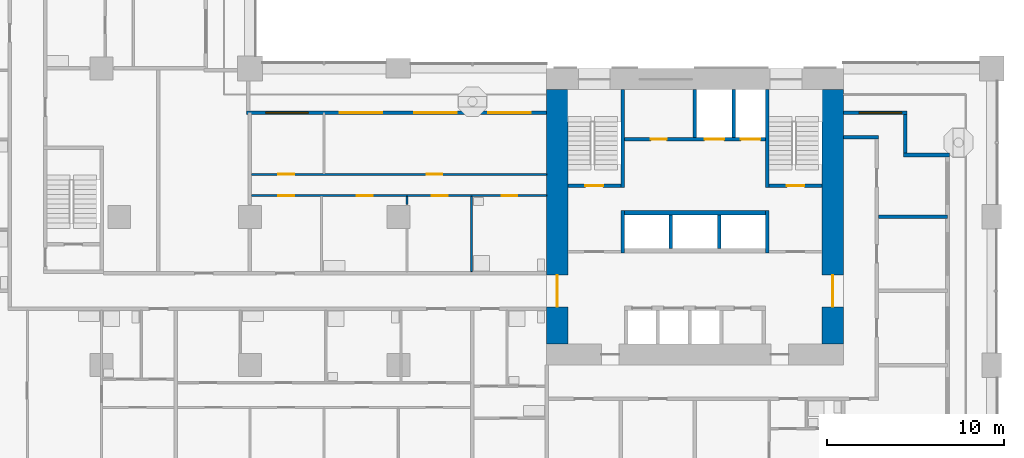
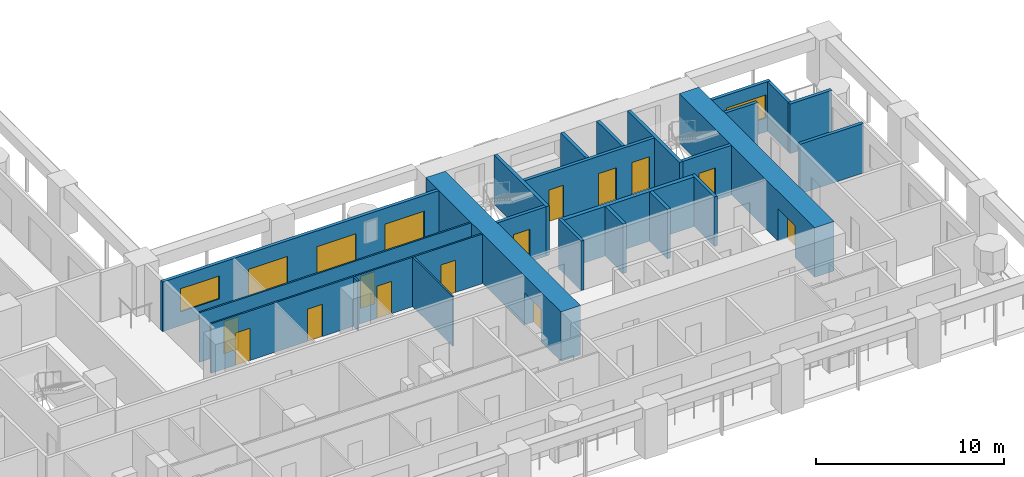
# One storey, part 6 of 19: 24 walls, 16 doors, 2 windows, 18 openings.
"""IFC4 building model written with IfcOpenShell, lengths in metres."""

import ifcopenshell
import ifcopenshell.guid

model = None  # the IFC model being written
_history = None  # IfcOwnerHistory: only IFC2X3 demands one
_inside = {}  # id of a spatial element -> (the spatial element, [elements in it])
_under = {}  # id of a project, library or spatial element -> (it, [spatial elements below it])
_declared = {}  # id of a project -> (the project, [libraries it declares])
_typed = {}  # id of a type object -> (the type object, [elements of that type])
_made_of = {}  # id of a material, layer set ... -> (it, [elements and type objects made of it])


def new_model(schema):
    """Start an empty IFC model of exactly this schema.

    Asked for "IFC4X3", IfcOpenShell would pick the latest addendum, in which some entities
    have other attributes; the version numbers below select the first issue.
    IFC2X3 requires an IfcOwnerHistory on every rooted entity: one is made here for all.
    """
    global model, _history
    if schema == "IFC4X3":
        model = ifcopenshell.file(schema_version=(4, 3, 0, 0))
    else:
        model = ifcopenshell.file(schema=schema)
    _inside.clear()
    _under.clear()
    _declared.clear()
    _typed.clear()
    _made_of.clear()
    _history = None
    if model.schema == "IFC2X3":
        org = make("IfcOrganization", Name="unknown")
        user = make(
            "IfcPersonAndOrganization",
            ThePerson=make("IfcPerson", FamilyName="unknown"),
            TheOrganization=org,
        )
        app = make(
            "IfcApplication",
            ApplicationDeveloper=org,
            Version="unknown",
            ApplicationFullName="unknown",
            ApplicationIdentifier="unknown",
        )
        _history = make(
            "IfcOwnerHistory",
            OwningUser=user,
            OwningApplication=app,
            ChangeAction="ADDED",
            CreationDate=0,
        )
    return model


def make(cls, **values):
    """One entity of the class cls with the attributes given. An attribute that is None is left unset."""
    return model.create_entity(
        cls, **{name: value for name, value in values.items() if value is not None}
    )


def rooted(cls, **values):
    """An entity with a GlobalId (a new one), such as an element, a storey or a relation."""
    return make(cls, GlobalId=ifcopenshell.guid.new(), OwnerHistory=_history, **values)


def si_unit(unit_type, name, prefix=None):
    """IfcSIUnit, for example si_unit("LENGTHUNIT", "METRE", prefix="MILLI")."""
    return make("IfcSIUnit", UnitType=unit_type, Prefix=prefix, Name=name)


def assignment(units):
    """IfcUnitAssignment: the units of a project."""
    return None if units is None else make("IfcUnitAssignment", Units=units)


def point(xyz):
    """IfcCartesianPoint."""
    return None if xyz is None else make("IfcCartesianPoint", Coordinates=xyz)


def direction(xyz):
    """IfcDirection."""
    return None if xyz is None else make("IfcDirection", DirectionRatios=xyz)


def frame(location, z_axis=None, x_axis=None):
    """IfcAxis2Placement3D, a coordinate frame: its origin and axes. An axis left out is left unset."""
    return make(
        "IfcAxis2Placement3D",
        Location=point(location),
        Axis=direction(z_axis),
        RefDirection=direction(x_axis),
    )


def frame_2d(location, x_axis=None):
    """IfcAxis2Placement2D, a coordinate frame in the plane: its origin and x axis."""
    return make(
        "IfcAxis2Placement2D", Location=point(location), RefDirection=direction(x_axis)
    )


def origin():
    """The frame at (0, 0, 0) with its axes left unset."""
    return frame((0.0, 0.0, 0.0))


def place(relative_to, where):
    """IfcLocalPlacement: puts the frame where relative to a parent placement (None: the world)."""
    return make(
        "IfcLocalPlacement", PlacementRelTo=relative_to, RelativePlacement=where
    )


def context(
    kind, dimensions, precision=None, world=None, true_north=None, identifier=None
):
    """IfcGeometricRepresentationContext, for example the 3D "Model" context."""
    return make(
        "IfcGeometricRepresentationContext",
        ContextIdentifier=identifier,
        ContextType=kind,
        CoordinateSpaceDimension=dimensions,
        Precision=precision,
        WorldCoordinateSystem=world,
        TrueNorth=true_north,
    )


def subcontext(parent, identifier, kind, view, scale=None):
    """IfcGeometricRepresentationSubContext, for example "Body" below "Model"."""
    return make(
        "IfcGeometricRepresentationSubContext",
        ContextIdentifier=identifier,
        ContextType=kind,
        ParentContext=parent,
        TargetScale=scale,
        TargetView=view,
    )


def project(units=None, contexts=None):
    """IfcProject with its units and contexts."""
    return rooted(
        "IfcProject",
        Name="project",
        RepresentationContexts=contexts,
        UnitsInContext=assignment(units),
    )


def spatial(cls, under=None, at=None, **own):
    """A site, building, storey or space (cls), placed at a placement, below another one or the project."""
    s = rooted(cls, ObjectPlacement=at, **own)
    if under is not None:
        _under.setdefault(under.id(), (under, []))[1].append(s)
    return s


def profile(cls, at=None, kind="AREA", **sizes):
    """A parametric profile (cls). Its sizes go by their IFC names, for example OverallWidth=200.0."""
    return make(cls, ProfileType=kind, Position=at, **sizes)


def rectangle(**sizes):
    """IfcRectangleProfileDef."""
    return profile("IfcRectangleProfileDef", **sizes)


def extrude(swept, where, along, depth):
    """IfcExtrudedAreaSolid: the profile swept, set in the frame where, extruded along a direction by depth."""
    return make(
        "IfcExtrudedAreaSolid",
        SweptArea=swept,
        Position=where,
        ExtrudedDirection=direction(along),
        Depth=depth,
    )


def shape(context_of_items, identifier, shape_type, items):
    """IfcShapeRepresentation: the items that make up one representation, for example the "Body"."""
    return make(
        "IfcShapeRepresentation",
        ContextOfItems=context_of_items,
        RepresentationIdentifier=identifier,
        RepresentationType=shape_type,
        Items=items,
    )


def material(Name=None, Category=None):
    """IfcMaterial."""
    return make("IfcMaterial", Name=Name, Category=Category)


def layer(
    of_material, thickness, ventilated=None, Name=None, Category=None, Priority=None
):
    """IfcMaterialLayer: one layer of a wall or slab, of a material (None: an air gap)."""
    return make(
        "IfcMaterialLayer",
        Material=of_material,
        LayerThickness=thickness,
        IsVentilated=ventilated,
        Name=Name,
        Category=Category,
        Priority=Priority,
    )


def layer_set(layers, Name=None):
    """IfcMaterialLayerSet."""
    return make("IfcMaterialLayerSet", MaterialLayers=layers, LayerSetName=Name)


def made_of(thing, what):
    """Note that an element or type object is made of a material, layer set ...; save() writes the relation."""
    if what is not None:
        _made_of.setdefault(what.id(), (what, []))[1].append(thing)
    return thing


def type_object(cls, material=None, **own):
    """A type object (cls), such as IfcWallType, which elements share."""
    return made_of(rooted(cls, **own), material)


def element(
    cls,
    number,
    at=None,
    inside=None,
    cuts=None,
    type_object=None,
    material=None,
    context=None,
    identifier="Body",
    shape_type=None,
    held_by="IfcProductDefinitionShape",
    body=None,
    shapes=None,
    **own,
):
    """One element of the class cls, such as IfcWall. Its Tag is "e" and its number.

    at: its placement. inside: the storey or other place that contains it. cuts: it is an
    opening in that element (IfcRelVoidsElement). A single representation is given by context,
    identifier, shape_type and body (its items); several are given by shapes. held_by: the class
    of the entity that holds the representations. save() writes the other relations.
    """
    e = rooted(cls, Tag="e%d" % number, ObjectPlacement=at, **own)
    if body is not None:
        shapes = [shape(context, identifier, shape_type, body)]
    if shapes is not None:
        e.Representation = make(held_by, Representations=shapes)
    if inside is not None:
        _inside.setdefault(inside.id(), (inside, []))[1].append(e)
    if cuts is not None:
        rooted(
            "IfcRelVoidsElement", RelatingBuildingElement=cuts, RelatedOpeningElement=e
        )
    if type_object is not None:
        _typed.setdefault(type_object.id(), (type_object, []))[1].append(e)
    return made_of(e, material)


def fill(opening, filler):
    """IfcRelFillsElement: the door or window that sits in an opening."""
    return rooted(
        "IfcRelFillsElement",
        RelatingOpeningElement=opening,
        RelatedBuildingElement=filler,
    )


def aggregate(whole, parts):
    """IfcRelAggregates: a whole, such as a stair, and the parts it consists of."""
    return rooted("IfcRelAggregates", RelatingObject=whole, RelatedObjects=parts)


def save(model, path):
    """Write the relations noted so far, then the file.

    IfcRelAggregates (storeys below a building ...), IfcRelContainedInSpatialStructure (elements
    in a storey), IfcRelDefinesByType, IfcRelAssociatesMaterial and IfcRelDeclares: one each for
    every whole, place, type object, material and project.
    """
    for whole, parts in _under.values():
        aggregate(whole, parts)
    for where, things in _inside.values():
        rooted(
            "IfcRelContainedInSpatialStructure",
            RelatedElements=things,
            RelatingStructure=where,
        )
    for kind, things in _typed.values():
        rooted("IfcRelDefinesByType", RelatedObjects=things, RelatingType=kind)
    for what, things in _made_of.values():
        rooted("IfcRelAssociatesMaterial", RelatedObjects=things, RelatingMaterial=what)
    for by, libraries in _declared.values():
        rooted("IfcRelDeclares", RelatingContext=by, RelatedDefinitions=libraries)
    model.write(path)


model = new_model("IFC4")

# Units and contexts
model_context = context("Model", 3, precision=1e-05, world=origin(), true_north=direction((0.0, 1.0)))
body_context = subcontext(model_context, "Body", "Model", "MODEL_VIEW")
ifc_project = project(units=[si_unit("LENGTHUNIT", "METRE"), si_unit("AREAUNIT", "SQUARE_METRE"), si_unit("VOLUMEUNIT", "CUBIC_METRE"), si_unit("PLANEANGLEUNIT", "RADIAN"), si_unit("MASSUNIT", "GRAM", prefix="KILO")], contexts=[model_context])

# Site, building, storey
site_placement = place(None, origin())
site = spatial("IfcSite", under=ifc_project, at=site_placement, CompositionType="ELEMENT")
building_placement = place(site_placement, origin())
building = spatial("IfcBuilding", under=site, at=building_placement, Name="Vermilion Gate Residences", CompositionType="ELEMENT")
storey_placement = place(building_placement, frame((0.0, 0.0, 32.199951171875)))
storey = spatial("IfcBuildingStorey", under=building, at=storey_placement, Name="L06", CompositionType="ELEMENT", Elevation=32.199951171875)

# Walls
ifc_material_1 = material(Name="Insulated steel stud wall with terracotta rainscreen", Category="masonry")
ifc_layer_1 = layer(ifc_material_1, 0.199951171875)
ifc_layer_set_1 = layer_set([ifc_layer_1], Name="EXTERNAL WALL 200 TERRACOTTA RAINSCREEN")
wall_type_1 = type_object("IfcWallType", Name="EXTERNAL WALL 200 TERRACOTTA RAINSCREEN", PredefinedType="SOLIDWALL", material=ifc_layer_set_1)
wall_1_placement = place(storey_placement, frame((64.800048828125, 20.300048828125, 0.0), z_axis=(0.0, 0.0, 1.0), x_axis=(-1.0, 0.0, 0.0)))
element("IfcWall", 1, at=wall_1_placement, inside=storey, type_object=wall_type_1, Name="External wall", PredefinedType="SOLIDWALL", context=body_context, shape_type="SweptSolid", body=[
    extrude(rectangle(XDim=2.60009765625, YDim=0.199951171875, at=frame_2d((1.300048828125, 0.0))), origin(), (0.0, 0.0, 1.0), 3.219970703125),
])
wall_2_placement = place(storey_placement, frame((62.300048828125, 20.39990234375, 0.0), z_axis=(0.0, 0.0, 1.0), x_axis=(0.0, 1.0, 0.0)))
element("IfcWall", 2, at=wall_2_placement, inside=storey, type_object=wall_type_1, Name="External wall", PredefinedType="SOLIDWALL", context=body_context, shape_type="SweptSolid", body=[
    extrude(rectangle(XDim=2.2001953125, YDim=0.199951171875, at=frame_2d((1.10009765625, 0.0))), origin(), (0.0, 0.0, 1.0), 3.219970703125),
])

# Wall, opening, window
wall_3_placement = place(storey_placement, frame((62.39990234375, 22.699951171875, 0.0), z_axis=(0.0, 0.0, 1.0), x_axis=(-1.0, 0.0, 0.0)))
wall_3 = element("IfcWall", 3, at=wall_3_placement, inside=storey, type_object=wall_type_1, Name="External wall", PredefinedType="SOLIDWALL", context=body_context, shape_type="SweptSolid", body=[
    extrude(rectangle(XDim=3.599853515625, YDim=0.199951171875, at=frame_2d((1.7998046875, 0.0))), origin(), (0.0, 0.0, 1.0), 3.219970703125),
])
opening_1_placement = place(wall_3_placement, frame((0.300048828125, 0.0, 0.89990234375)))
opening_1 = element("IfcOpeningElement", 4, at=opening_1_placement, cuts=wall_3, Name="Opening WE06032", PredefinedType="OPENING", context=body_context, shape_type="SweptSolid", body=[
    extrude(rectangle(XDim=2.39990234375, YDim=1.5, at=frame_2d((1.199951171875, 0.75))), frame((0.0, 0.10986328125, 0.0), z_axis=(0.0, -1.0, 0.0), x_axis=(1.0, 0.0, 0.0)), (0.0, 0.0, 1.0), 0.219970703125),
])
ifc_material_2 = material(Name="Aluminium and clear glass", Category="aluminium")
window_type = type_object("IfcWindowType", Name="WINDOW 2400 X 1500", PartitioningType="SINGLE_PANEL", PredefinedType="WINDOW", material=ifc_material_2)
window_1_placement = place(opening_1_placement, origin())
window_1 = element("IfcWindow", 5, at=window_1_placement, inside=storey, type_object=window_type, Name="Window", OverallHeight=1.5, OverallWidth=2.39990234375, PartitioningType="SINGLE_PANEL", PredefinedType="WINDOW", context=body_context, shape_type="SweptSolid", body=[
    extrude(rectangle(XDim=2.39990234375, YDim=1.5, at=frame_2d((1.199951171875, 0.75))), frame((0.0, 0.030029296875, 0.0), z_axis=(0.0, -1.0, 0.0), x_axis=(1.0, 0.0, 0.0)), (0.0, 0.0, 1.0), 0.06005859375),
])
fill(opening_1, window_1)

# Wall, openings, doors, window
wall_4_placement = place(storey_placement, frame((42.0, 22.699951171875, 0.0), z_axis=(0.0, 0.0, 1.0), x_axis=(-1.0, 0.0, 0.0)))
wall_4 = element("IfcWall", 6, at=wall_4_placement, inside=storey, type_object=wall_type_1, Name="External wall", PredefinedType="SOLIDWALL", context=body_context, shape_type="SweptSolid", body=[
    extrude(rectangle(XDim=17.0, YDim=0.199951171875, at=frame_2d((8.5, 0.0))), origin(), (0.0, 0.0, 1.0), 3.219970703125),
])
opening_2_placement = place(wall_4_placement, frame((13.5, 0.0, 0.89990234375)))
opening_2 = element("IfcOpeningElement", 7, at=opening_2_placement, cuts=wall_4, Name="Opening WE06033", PredefinedType="OPENING", context=body_context, shape_type="SweptSolid", body=[
    extrude(rectangle(XDim=2.39990234375, YDim=1.5, at=frame_2d((1.199951171875, 0.75))), frame((0.0, 0.10986328125, 0.0), z_axis=(0.0, -1.0, 0.0), x_axis=(1.0, 0.0, 0.0)), (0.0, 0.0, 1.0), 0.219970703125),
])
opening_3_placement = place(wall_4_placement, frame((9.300048828125, 0.0, 0.0)))
opening_3 = element("IfcOpeningElement", 8, at=opening_3_placement, cuts=wall_4, Name="Opening DE06034", PredefinedType="OPENING", context=body_context, shape_type="SweptSolid", body=[
    extrude(rectangle(XDim=2.39990234375, YDim=2.199951171875, at=frame_2d((1.199951171875, 1.10009765625))), frame((0.0, 0.10986328125, 0.0), z_axis=(0.0, -1.0, 0.0), x_axis=(1.0, 0.0, 0.0)), (0.0, 0.0, 1.0), 0.219970703125),
])
opening_4_placement = place(wall_4_placement, frame((5.10009765625, 0.0, 0.0)))
opening_4 = element("IfcOpeningElement", 9, at=opening_4_placement, cuts=wall_4, Name="Opening DE06035", PredefinedType="OPENING", context=body_context, shape_type="SweptSolid", body=[
    extrude(rectangle(XDim=2.39990234375, YDim=2.199951171875, at=frame_2d((1.199951171875, 1.10009765625))), frame((0.0, 0.10986328125, 0.0), z_axis=(0.0, -1.0, 0.0), x_axis=(1.0, 0.0, 0.0)), (0.0, 0.0, 1.0), 0.219970703125),
])
opening_5_placement = place(wall_4_placement, frame((0.89990234375, 0.0, 0.0)))
opening_5 = element("IfcOpeningElement", 10, at=opening_5_placement, cuts=wall_4, Name="Opening DE06036", PredefinedType="OPENING", context=body_context, shape_type="SweptSolid", body=[
    extrude(rectangle(XDim=2.39990234375, YDim=2.199951171875, at=frame_2d((1.199951171875, 1.10009765625))), frame((0.0, 0.10986328125, 0.0), z_axis=(0.0, -1.0, 0.0), x_axis=(1.0, 0.0, 0.0)), (0.0, 0.0, 1.0), 0.219970703125),
])
ifc_material_3 = material(Name="Aluminium and clear glass", Category="aluminium")
door_type_1 = type_object("IfcDoorType", Name="SLIDING GLAZED DOOR 2400 X 2200", OperationType="DOUBLE_DOOR_SLIDING", PredefinedType="DOOR", material=ifc_material_3)
door_1_placement = place(opening_3_placement, origin())
door_1 = element("IfcDoor", 11, at=door_1_placement, inside=storey, type_object=door_type_1, Name="Loggia sliding door", OperationType="DOUBLE_DOOR_SLIDING", OverallHeight=2.199951171875, OverallWidth=2.39990234375, PredefinedType="DOOR", context=body_context, shape_type="SweptSolid", body=[
    extrude(rectangle(XDim=2.39990234375, YDim=2.199951171875, at=frame_2d((1.199951171875, 1.10009765625))), frame((0.0, 0.02490234375, 0.0), z_axis=(0.0, -1.0, 0.0), x_axis=(1.0, 0.0, 0.0)), (0.0, 0.0, 1.0), 0.050048828125),
])
fill(opening_3, door_1)
door_2_placement = place(opening_4_placement, origin())
door_2 = element("IfcDoor", 12, at=door_2_placement, inside=storey, type_object=door_type_1, Name="Loggia sliding door", OperationType="DOUBLE_DOOR_SLIDING", OverallHeight=2.199951171875, OverallWidth=2.39990234375, PredefinedType="DOOR", context=body_context, shape_type="SweptSolid", body=[
    extrude(rectangle(XDim=2.39990234375, YDim=2.199951171875, at=frame_2d((1.199951171875, 1.10009765625))), frame((0.0, 0.02490234375, 0.0), z_axis=(0.0, -1.0, 0.0), x_axis=(1.0, 0.0, 0.0)), (0.0, 0.0, 1.0), 0.050048828125),
])
fill(opening_4, door_2)
door_3_placement = place(opening_5_placement, origin())
door_3 = element("IfcDoor", 13, at=door_3_placement, inside=storey, type_object=door_type_1, Name="Loggia sliding door", OperationType="DOUBLE_DOOR_SLIDING", OverallHeight=2.199951171875, OverallWidth=2.39990234375, PredefinedType="DOOR", context=body_context, shape_type="SweptSolid", body=[
    extrude(rectangle(XDim=2.39990234375, YDim=2.199951171875, at=frame_2d((1.199951171875, 1.10009765625))), frame((0.0, 0.02490234375, 0.0), z_axis=(0.0, -1.0, 0.0), x_axis=(1.0, 0.0, 0.0)), (0.0, 0.0, 1.0), 0.050048828125),
])
fill(opening_5, door_3)
window_2_placement = place(opening_2_placement, origin())
window_2 = element("IfcWindow", 14, at=window_2_placement, inside=storey, type_object=window_type, Name="Window", OverallHeight=1.5, OverallWidth=2.39990234375, PartitioningType="SINGLE_PANEL", PredefinedType="WINDOW", context=body_context, shape_type="SweptSolid", body=[
    extrude(rectangle(XDim=2.39990234375, YDim=1.5, at=frame_2d((1.199951171875, 0.75))), frame((0.0, 0.030029296875, 0.0), z_axis=(0.0, -1.0, 0.0), x_axis=(1.0, 0.0, 0.0)), (0.0, 0.0, 1.0), 0.06005859375),
])
fill(opening_2, window_2)

# Wall, openings, doors
ifc_material_4 = material(Name="Plasterboard on steel studs", Category="steel")
ifc_layer_2 = layer(ifc_material_4, 0.10009765625)
ifc_layer_set_2 = layer_set([ifc_layer_2], Name="PARTITION 100")
wall_type_2 = type_object("IfcWallType", Name="PARTITION 100", PredefinedType="PARTITIONING", material=ifc_layer_set_2)
wall_5_placement = place(storey_placement, frame((25.300048828125, 18.0, 0.0), z_axis=(0.0, 0.0, 1.0), x_axis=(1.0, 0.0, 0.0)))
wall_5 = element("IfcWall", 15, at=wall_5_placement, inside=storey, type_object=wall_type_2, Name="Partition", PredefinedType="PARTITIONING", context=body_context, shape_type="SweptSolid", body=[
    extrude(rectangle(XDim=16.699951171875, YDim=0.10009765625, at=frame_2d((8.35009765625, 0.0))), origin(), (0.0, 0.0, 1.0), 3.219970703125),
])
opening_6_placement = place(wall_5_placement, frame((1.5, 0.0, 0.0)))
opening_6 = element("IfcOpeningElement", 16, at=opening_6_placement, cuts=wall_5, Name="Opening DA04026", PredefinedType="OPENING", context=body_context, shape_type="SweptSolid", body=[
    extrude(rectangle(XDim=0.89990234375, YDim=2.10009765625, at=frame_2d((0.449951171875, 1.050048828125))), frame((0.0, 0.06005859375, 0.0), z_axis=(0.0, -1.0, 0.0), x_axis=(1.0, 0.0, 0.0)), (0.0, 0.0, 1.0), 0.1201171875),
])
opening_7_placement = place(wall_5_placement, frame((5.949951171875, 0.0, 0.0)))
opening_7 = element("IfcOpeningElement", 17, at=opening_7_placement, cuts=wall_5, Name="Opening DA04027", PredefinedType="OPENING", context=body_context, shape_type="SweptSolid", body=[
    extrude(rectangle(XDim=0.89990234375, YDim=2.10009765625, at=frame_2d((0.449951171875, 1.050048828125))), frame((0.0, 0.06005859375, 0.0), z_axis=(0.0, -1.0, 0.0), x_axis=(1.0, 0.0, 0.0)), (0.0, 0.0, 1.0), 0.1201171875),
])
opening_8_placement = place(wall_5_placement, frame((10.199951171875, 0.0, 0.0)))
opening_8 = element("IfcOpeningElement", 18, at=opening_8_placement, cuts=wall_5, Name="Opening DA04028", PredefinedType="OPENING", context=body_context, shape_type="SweptSolid", body=[
    extrude(rectangle(XDim=0.89990234375, YDim=2.10009765625, at=frame_2d((0.449951171875, 1.050048828125))), frame((0.0, 0.06005859375, 0.0), z_axis=(0.0, -1.0, 0.0), x_axis=(1.0, 0.0, 0.0)), (0.0, 0.0, 1.0), 0.1201171875),
])
opening_9_placement = place(wall_5_placement, frame((14.14990234375, 0.0, 0.0)))
opening_9 = element("IfcOpeningElement", 19, at=opening_9_placement, cuts=wall_5, Name="Opening DA04029", PredefinedType="OPENING", context=body_context, shape_type="SweptSolid", body=[
    extrude(rectangle(XDim=0.89990234375, YDim=2.10009765625, at=frame_2d((0.449951171875, 1.050048828125))), frame((0.0, 0.06005859375, 0.0), z_axis=(0.0, -1.0, 0.0), x_axis=(1.0, 0.0, 0.0)), (0.0, 0.0, 1.0), 0.1201171875),
])
ifc_material_5 = material(Name="Timber", Category="wood")
door_type_2 = type_object("IfcDoorType", Name="INTERIOR DOOR 900 X 2100", OperationType="SINGLE_SWING_LEFT", PredefinedType="DOOR", material=ifc_material_5)
door_4_placement = place(opening_6_placement, frame((0.89990234375, 0.0, 0.0), z_axis=(0.0, 0.0, 1.0), x_axis=(-1.0, 0.0, 0.0)))
door_4 = element("IfcDoor", 20, at=door_4_placement, inside=storey, type_object=door_type_2, Name="Interior door", OperationType="SINGLE_SWING_RIGHT", OverallHeight=2.10009765625, OverallWidth=0.89990234375, PredefinedType="DOOR", context=body_context, shape_type="SweptSolid", body=[
    extrude(rectangle(XDim=0.89990234375, YDim=2.10009765625, at=frame_2d((0.449951171875, 1.050048828125))), frame((0.0, 0.02490234375, 0.0), z_axis=(0.0, -1.0, 0.0), x_axis=(1.0, 0.0, 0.0)), (0.0, 0.0, 1.0), 0.050048828125),
])
fill(opening_6, door_4)
door_5_placement = place(opening_7_placement, frame((0.89990234375, 0.0, 0.0), z_axis=(0.0, 0.0, 1.0), x_axis=(-1.0, 0.0, 0.0)))
door_5 = element("IfcDoor", 21, at=door_5_placement, inside=storey, type_object=door_type_2, Name="Interior door", OperationType="SINGLE_SWING_LEFT", OverallHeight=2.10009765625, OverallWidth=0.89990234375, PredefinedType="DOOR", context=body_context, shape_type="SweptSolid", body=[
    extrude(rectangle(XDim=0.89990234375, YDim=2.10009765625, at=frame_2d((0.449951171875, 1.050048828125))), frame((0.0, 0.02490234375, 0.0), z_axis=(0.0, -1.0, 0.0), x_axis=(1.0, 0.0, 0.0)), (0.0, 0.0, 1.0), 0.050048828125),
])
fill(opening_7, door_5)
door_6_placement = place(opening_8_placement, frame((0.89990234375, 0.0, 0.0), z_axis=(0.0, 0.0, 1.0), x_axis=(-1.0, 0.0, 0.0)))
door_6 = element("IfcDoor", 22, at=door_6_placement, inside=storey, type_object=door_type_2, Name="Interior door", OperationType="SINGLE_SWING_LEFT", OverallHeight=2.10009765625, OverallWidth=0.89990234375, PredefinedType="DOOR", context=body_context, shape_type="SweptSolid", body=[
    extrude(rectangle(XDim=0.89990234375, YDim=2.10009765625, at=frame_2d((0.449951171875, 1.050048828125))), frame((0.0, 0.02490234375, 0.0), z_axis=(0.0, -1.0, 0.0), x_axis=(1.0, 0.0, 0.0)), (0.0, 0.0, 1.0), 0.050048828125),
])
fill(opening_8, door_6)
door_7_placement = place(opening_9_placement, frame((0.89990234375, 0.0, 0.0), z_axis=(0.0, 0.0, 1.0), x_axis=(-1.0, 0.0, 0.0)))
door_7 = element("IfcDoor", 23, at=door_7_placement, inside=storey, type_object=door_type_2, Name="Interior door", OperationType="SINGLE_SWING_RIGHT", OverallHeight=2.10009765625, OverallWidth=0.89990234375, PredefinedType="DOOR", context=body_context, shape_type="SweptSolid", body=[
    extrude(rectangle(XDim=0.89990234375, YDim=2.10009765625, at=frame_2d((0.449951171875, 1.050048828125))), frame((0.0, 0.02490234375, 0.0), z_axis=(0.0, -1.0, 0.0), x_axis=(1.0, 0.0, 0.0)), (0.0, 0.0, 1.0), 0.050048828125),
])
fill(opening_9, door_7)

wall_6_placement = place(storey_placement, frame((25.300048828125, 19.199951171875, 0.0), z_axis=(0.0, 0.0, 1.0), x_axis=(1.0, 0.0, 0.0)))
wall_6 = element("IfcWall", 24, at=wall_6_placement, inside=storey, type_object=wall_type_2, Name="Partition", PredefinedType="PARTITIONING", context=body_context, shape_type="SweptSolid", body=[
    extrude(rectangle(XDim=16.699951171875, YDim=0.10009765625, at=frame_2d((8.35009765625, 0.0))), origin(), (0.0, 0.0, 1.0), 3.219970703125),
])
opening_10_placement = place(wall_6_placement, frame((1.5, 0.0, 0.0)))
opening_10 = element("IfcOpeningElement", 25, at=opening_10_placement, cuts=wall_6, Name="Opening DA04030", PredefinedType="OPENING", context=body_context, shape_type="SweptSolid", body=[
    extrude(rectangle(XDim=0.89990234375, YDim=2.10009765625, at=frame_2d((0.449951171875, 1.050048828125))), frame((0.0, 0.06005859375, 0.0), z_axis=(0.0, -1.0, 0.0), x_axis=(1.0, 0.0, 0.0)), (0.0, 0.0, 1.0), 0.1201171875),
])
opening_11_placement = place(wall_6_placement, frame((9.89990234375, 0.0, 0.0)))
opening_11 = element("IfcOpeningElement", 26, at=opening_11_placement, cuts=wall_6, Name="Opening DA04031", PredefinedType="OPENING", context=body_context, shape_type="SweptSolid", body=[
    extrude(rectangle(XDim=0.89990234375, YDim=2.10009765625, at=frame_2d((0.449951171875, 1.050048828125))), frame((0.0, 0.06005859375, 0.0), z_axis=(0.0, -1.0, 0.0), x_axis=(1.0, 0.0, 0.0)), (0.0, 0.0, 1.0), 0.1201171875),
])
door_8_placement = place(opening_10_placement, origin())
door_8 = element("IfcDoor", 27, at=door_8_placement, inside=storey, type_object=door_type_2, Name="Interior door", OperationType="SINGLE_SWING_LEFT", OverallHeight=2.10009765625, OverallWidth=0.89990234375, PredefinedType="DOOR", context=body_context, shape_type="SweptSolid", body=[
    extrude(rectangle(XDim=0.89990234375, YDim=2.10009765625, at=frame_2d((0.449951171875, 1.050048828125))), frame((0.0, 0.02490234375, 0.0), z_axis=(0.0, -1.0, 0.0), x_axis=(1.0, 0.0, 0.0)), (0.0, 0.0, 1.0), 0.050048828125),
])
fill(opening_10, door_8)
door_9_placement = place(opening_11_placement, origin())
door_9 = element("IfcDoor", 28, at=door_9_placement, inside=storey, type_object=door_type_2, Name="Interior door", OperationType="SINGLE_SWING_LEFT", OverallHeight=2.10009765625, OverallWidth=0.89990234375, PredefinedType="DOOR", context=body_context, shape_type="SweptSolid", body=[
    extrude(rectangle(XDim=0.89990234375, YDim=2.10009765625, at=frame_2d((0.449951171875, 1.050048828125))), frame((0.0, 0.02490234375, 0.0), z_axis=(0.0, -1.0, 0.0), x_axis=(1.0, 0.0, 0.0)), (0.0, 0.0, 1.0), 0.050048828125),
])
fill(opening_11, door_9)

# Walls
wall_7_placement = place(storey_placement, frame((34.10009765625, 17.5, 0.0), z_axis=(0.0, 0.0, 1.0), x_axis=(0.0, 1.0, 0.0)))
element("IfcWall", 29, at=wall_7_placement, inside=storey, type_object=wall_type_2, Name="Partition", PredefinedType="PARTITIONING", context=body_context, shape_type="SweptSolid", body=[
    extrude(rectangle(XDim=0.449951171875, YDim=0.10009765625, at=frame_2d((0.22509765625, 0.0))), origin(), (0.0, 0.0, 1.0), 3.219970703125),
])
wall_8_placement = place(storey_placement, frame((37.75, 13.699951171875, 0.0), z_axis=(0.0, 0.0, 1.0), x_axis=(0.0, 1.0, 0.0)))
element("IfcWall", 30, at=wall_8_placement, inside=storey, type_object=wall_type_2, Name="Partition", PredefinedType="PARTITIONING", context=body_context, shape_type="SweptSolid", body=[
    extrude(rectangle(XDim=4.25, YDim=0.10009765625, at=frame_2d((2.125, 0.0))), origin(), (0.0, 0.0, 1.0), 3.219970703125),
])
ifc_material_6 = material(Name="Fire-rated plasterboard on steel studs", Category="steel")
ifc_layer_3 = layer(ifc_material_6, 0.199951171875)
ifc_layer_set_3 = layer_set([ifc_layer_3], Name="PARTY WALL 200 EI 120")
wall_type_3 = type_object("IfcWallType", Name="PARTY WALL 200 EI 120", PredefinedType="PARTITIONING", material=ifc_layer_set_3)
wall_9_placement = place(storey_placement, frame((60.800048828125, 16.800048828125, 0.0), z_axis=(0.0, 0.0, 1.0), x_axis=(1.0, 0.0, 0.0)))
element("IfcWall", 31, at=wall_9_placement, inside=storey, type_object=wall_type_3, Name="Party and corridor wall", PredefinedType="PARTITIONING", context=body_context, shape_type="SweptSolid", body=[
    extrude(rectangle(XDim=3.89990234375, YDim=0.199951171875, at=frame_2d((1.949951171875, 0.0))), origin(), (0.0, 0.0, 1.0), 3.219970703125),
])
wall_10_placement = place(storey_placement, frame((58.800048828125, 21.300048828125, 0.0), z_axis=(0.0, 0.0, 1.0), x_axis=(1.0, 0.0, 0.0)))
element("IfcWall", 32, at=wall_10_placement, inside=storey, type_object=wall_type_3, Name="Party and corridor wall", PredefinedType="PARTITIONING", context=body_context, shape_type="SweptSolid", body=[
    extrude(rectangle(XDim=2.0, YDim=0.199951171875, at=frame_2d((1.0, 0.0))), origin(), (0.0, 0.0, 1.0), 3.219970703125),
])
ifc_material_7 = material(Name="Concrete C60", Category="concrete")
ifc_layer_4 = layer(ifc_material_7, 0.199951171875)
ifc_layer_set_4 = layer_set([ifc_layer_4], Name="RC CORE INTERNAL WALL 200 C60")
wall_type_4 = type_object("IfcWallType", Name="RC CORE INTERNAL WALL 200 C60", PredefinedType="SHEAR", material=ifc_layer_set_4)
for number, where, z_axis, x_axis, name in (
    (33, (49.033447265625, 15.0, 0.0), (0.0, 0.0, 1.0), (0.0, 1.0, 0.0), "Core internal wall A06-HR-D1"),
    (34, (51.7666015625, 15.0, 0.0), (0.0, 0.0, 1.0), (0.0, 1.0, 0.0), "Core internal wall A06-HR-D2"),
):
    element("IfcWall", number, at=place(storey_placement, frame(where, z_axis=z_axis, x_axis=x_axis)), inside=storey, type_object=wall_type_4, Name=name, PredefinedType="SHEAR", context=body_context, shape_type="SweptSolid", body=[
        extrude(rectangle(XDim=1.89990234375, YDim=0.199951171875, at=frame_2d((0.949951171875, 0.0))), origin(), (0.0, 0.0, 1.0), 3.219970703125),
    ])
for number, where, z_axis, x_axis, name in (
    (35, (50.39990234375, 21.300048828125, 0.0), (0.0, 0.0, 1.0), (0.0, 1.0, 0.0), "Core internal wall A06-FF-D0"),
    (36, (52.60009765625, 21.300048828125, 0.0), (0.0, 0.0, 1.0), (0.0, 1.0, 0.0), "Core internal wall A06-FF-D1"),
):
    element("IfcWall", number, at=place(storey_placement, frame(where, z_axis=z_axis, x_axis=x_axis)), inside=storey, type_object=wall_type_4, Name=name, PredefinedType="SHEAR", context=body_context, shape_type="SweptSolid", body=[
        extrude(rectangle(XDim=2.699951171875, YDim=0.199951171875, at=frame_2d((1.35009765625, 0.0))), origin(), (0.0, 0.0, 1.0), 3.219970703125),
    ])

# Wall, openings, doors
wall_11_placement = place(storey_placement, frame((46.39990234375, 21.199951171875, 0.0), z_axis=(0.0, 0.0, 1.0), x_axis=(1.0, 0.0, 0.0)))
wall_11 = element("IfcWall", 37, at=wall_11_placement, inside=storey, type_object=wall_type_4, Name="Core internal wall A06-FF-F", PredefinedType="SHEAR", context=body_context, shape_type="SweptSolid", body=[
    extrude(rectangle(XDim=8.0, YDim=0.199951171875, at=frame_2d((4.0, 0.0))), origin(), (0.0, 0.0, 1.0), 3.219970703125),
])
opening_12_placement = place(wall_11_placement, frame((1.5, 0.0, 0.0)))
opening_12 = element("IfcOpeningElement", 38, at=opening_12_placement, cuts=wall_11, Name="Opening DK06009", PredefinedType="OPENING", context=body_context, shape_type="SweptSolid", body=[
    extrude(rectangle(XDim=0.89990234375, YDim=2.10009765625, at=frame_2d((0.449951171875, 1.050048828125))), frame((0.0, 0.10986328125, 0.0), z_axis=(0.0, -1.0, 0.0), x_axis=(1.0, 0.0, 0.0)), (0.0, 0.0, 1.0), 0.219970703125),
])
opening_13_placement = place(wall_11_placement, frame((4.550048828125, 0.0, 0.0)))
opening_13 = element("IfcOpeningElement", 39, at=opening_13_placement, cuts=wall_11, Name="Opening LD", PredefinedType="OPENING", context=body_context, shape_type="SweptSolid", body=[
    extrude(rectangle(XDim=1.10009765625, YDim=2.10009765625, at=frame_2d((0.550048828125, 1.050048828125))), frame((0.0, 0.10986328125, 0.0), z_axis=(0.0, -1.0, 0.0), x_axis=(1.0, 0.0, 0.0)), (0.0, 0.0, 1.0), 0.219970703125),
])
opening_14_placement = place(wall_11_placement, frame((6.60009765625, 0.0, 0.0)))
opening_14 = element("IfcOpeningElement", 40, at=opening_14_placement, cuts=wall_11, Name="Opening LD", PredefinedType="OPENING", context=body_context, shape_type="SweptSolid", body=[
    extrude(rectangle(XDim=1.10009765625, YDim=2.10009765625, at=frame_2d((0.550048828125, 1.050048828125))), frame((0.0, 0.10986328125, 0.0), z_axis=(0.0, -1.0, 0.0), x_axis=(1.0, 0.0, 0.0)), (0.0, 0.0, 1.0), 0.219970703125),
])
ifc_material_8 = material(Name="Stainless steel", Category="steel")
door_type_3 = type_object("IfcDoorType", Name="LIFT LANDING DOOR E60 1100 X 2100", OperationType="DOUBLE_DOOR_SLIDING", PredefinedType="DOOR", material=ifc_material_8)
door_10_placement = place(opening_13_placement, origin())
door_10 = element("IfcDoor", 41, at=door_10_placement, inside=storey, type_object=door_type_3, Name="Lift landing door LFA1", OperationType="DOUBLE_DOOR_SLIDING", OverallHeight=2.10009765625, OverallWidth=1.10009765625, PredefinedType="DOOR", context=body_context, shape_type="SweptSolid", body=[
    extrude(rectangle(XDim=1.10009765625, YDim=2.10009765625, at=frame_2d((0.550048828125, 1.050048828125))), frame((0.0, 0.02490234375, 0.0), z_axis=(0.0, -1.0, 0.0), x_axis=(1.0, 0.0, 0.0)), (0.0, 0.0, 1.0), 0.050048828125),
])
fill(opening_13, door_10)
door_11_placement = place(opening_14_placement, origin())
door_11 = element("IfcDoor", 42, at=door_11_placement, inside=storey, type_object=door_type_3, Name="Lift landing door LCA1", OperationType="DOUBLE_DOOR_SLIDING", OverallHeight=2.10009765625, OverallWidth=1.10009765625, PredefinedType="DOOR", context=body_context, shape_type="SweptSolid", body=[
    extrude(rectangle(XDim=1.10009765625, YDim=2.10009765625, at=frame_2d((0.550048828125, 1.050048828125))), frame((0.0, 0.02490234375, 0.0), z_axis=(0.0, -1.0, 0.0), x_axis=(1.0, 0.0, 0.0)), (0.0, 0.0, 1.0), 0.050048828125),
])
fill(opening_14, door_11)
ifc_material_9 = material(Name="Steel", Category="steel")
door_type_4 = type_object("IfcDoorType", Name="SERVICE ROOM DOOR FD60 900 X 2100", OperationType="SINGLE_SWING_LEFT", PredefinedType="DOOR", material=ifc_material_9)
door_12_placement = place(opening_12_placement, origin())
door_12 = element("IfcDoor", 43, at=door_12_placement, inside=storey, type_object=door_type_4, Name="Electrical riser A06", OperationType="SINGLE_SWING_LEFT", OverallHeight=2.10009765625, OverallWidth=0.89990234375, PredefinedType="DOOR", context=body_context, shape_type="SweptSolid", body=[
    extrude(rectangle(XDim=0.89990234375, YDim=2.10009765625, at=frame_2d((0.449951171875, 1.050048828125))), frame((0.0, 0.02490234375, 0.0), z_axis=(0.0, -1.0, 0.0), x_axis=(1.0, 0.0, 0.0)), (0.0, 0.0, 1.0), 0.050048828125),
])
fill(opening_12, door_12)

# Walls
wall_12_placement = place(storey_placement, frame((46.300048828125, 14.75, 0.0), z_axis=(0.0, 0.0, 1.0), x_axis=(0.0, 1.0, 0.0)))
element("IfcWall", 44, at=wall_12_placement, inside=storey, type_object=wall_type_4, Name="Core internal wall A06-WDIV1", PredefinedType="SHEAR", context=body_context, shape_type="SweptSolid", body=[
    extrude(rectangle(XDim=2.39990234375, YDim=0.199951171875, at=frame_2d((1.199951171875, 0.0))), origin(), (0.0, 0.0, 1.0), 3.219970703125),
])
wall_13_placement = place(storey_placement, frame((46.300048828125, 18.449951171875, 0.0), z_axis=(0.0, 0.0, 1.0), x_axis=(0.0, 1.0, 0.0)))
element("IfcWall", 45, at=wall_13_placement, inside=storey, type_object=wall_type_4, Name="Core internal wall A06-WDIV2", PredefinedType="SHEAR", context=body_context, shape_type="SweptSolid", body=[
    extrude(rectangle(XDim=5.550048828125, YDim=0.199951171875, at=frame_2d((2.77490234375, 0.0))), origin(), (0.0, 0.0, 1.0), 3.219970703125),
])

# Wall, opening, door
wall_14_placement = place(storey_placement, frame((43.199951171875, 18.550048828125, 0.0), z_axis=(0.0, 0.0, 1.0), x_axis=(1.0, 0.0, 0.0)))
wall_14 = element("IfcWall", 46, at=wall_14_placement, inside=storey, type_object=wall_type_4, Name="Core internal wall A06-STW-S", PredefinedType="SHEAR", context=body_context, shape_type="SweptSolid", body=[
    extrude(rectangle(XDim=3.0, YDim=0.199951171875, at=frame_2d((1.5, 0.0))), origin(), (0.0, 0.0, 1.0), 3.219970703125),
])
opening_15_placement = place(wall_14_placement, frame((1.0, 0.0, 0.0)))
opening_15 = element("IfcOpeningElement", 47, at=opening_15_placement, cuts=wall_14, Name="Opening DK06013", PredefinedType="OPENING", context=body_context, shape_type="SweptSolid", body=[
    extrude(rectangle(XDim=1.0, YDim=2.10009765625, at=frame_2d((0.5, 1.050048828125))), frame((0.0, 0.10986328125, 0.0), z_axis=(0.0, -1.0, 0.0), x_axis=(1.0, 0.0, 0.0)), (0.0, 0.0, 1.0), 0.219970703125),
])
ifc_material_10 = material(Name="Steel", Category="steel")
door_type_5 = type_object("IfcDoorType", Name="FIRE DOOR FD60 1000 X 2100", OperationType="SINGLE_SWING_LEFT", PredefinedType="DOOR", material=ifc_material_10)
door_13_placement = place(opening_15_placement, origin())
door_13 = element("IfcDoor", 48, at=door_13_placement, inside=storey, type_object=door_type_5, Name="Stair door A06", OperationType="SINGLE_SWING_LEFT", OverallHeight=2.10009765625, OverallWidth=1.0, PredefinedType="DOOR", context=body_context, shape_type="SweptSolid", body=[
    extrude(rectangle(XDim=1.0, YDim=2.10009765625, at=frame_2d((0.5, 1.050048828125))), frame((0.0, 0.02490234375, 0.0), z_axis=(0.0, -1.0, 0.0), x_axis=(1.0, 0.0, 0.0)), (0.0, 0.0, 1.0), 0.050048828125),
])
fill(opening_15, door_13)

# Walls
wall_15_placement = place(storey_placement, frame((54.5, 14.75, 0.0), z_axis=(0.0, 0.0, 1.0), x_axis=(0.0, 1.0, 0.0)))
element("IfcWall", 49, at=wall_15_placement, inside=storey, type_object=wall_type_4, Name="Core internal wall A06-EDIV1", PredefinedType="SHEAR", context=body_context, shape_type="SweptSolid", body=[
    extrude(rectangle(XDim=2.39990234375, YDim=0.199951171875, at=frame_2d((1.199951171875, 0.0))), origin(), (0.0, 0.0, 1.0), 3.219970703125),
])
wall_16_placement = place(storey_placement, frame((54.5, 18.449951171875, 0.0), z_axis=(0.0, 0.0, 1.0), x_axis=(0.0, 1.0, 0.0)))
element("IfcWall", 50, at=wall_16_placement, inside=storey, type_object=wall_type_4, Name="Core internal wall A06-EDIV2", PredefinedType="SHEAR", context=body_context, shape_type="SweptSolid", body=[
    extrude(rectangle(XDim=5.550048828125, YDim=0.199951171875, at=frame_2d((2.77490234375, 0.0))), origin(), (0.0, 0.0, 1.0), 3.219970703125),
])

# Wall, opening, door
wall_17_placement = place(storey_placement, frame((54.60009765625, 18.550048828125, 0.0), z_axis=(0.0, 0.0, 1.0), x_axis=(1.0, 0.0, 0.0)))
wall_17 = element("IfcWall", 51, at=wall_17_placement, inside=storey, type_object=wall_type_4, Name="Core internal wall A06-STE-S", PredefinedType="SHEAR", context=body_context, shape_type="SweptSolid", body=[
    extrude(rectangle(XDim=3.0, YDim=0.199951171875, at=frame_2d((1.5, 0.0))), origin(), (0.0, 0.0, 1.0), 3.219970703125),
])
opening_16_placement = place(wall_17_placement, frame((1.0, 0.0, 0.0)))
opening_16 = element("IfcOpeningElement", 52, at=opening_16_placement, cuts=wall_17, Name="Opening DK06015", PredefinedType="OPENING", context=body_context, shape_type="SweptSolid", body=[
    extrude(rectangle(XDim=1.0, YDim=2.10009765625, at=frame_2d((0.5, 1.050048828125))), frame((0.0, 0.10986328125, 0.0), z_axis=(0.0, -1.0, 0.0), x_axis=(1.0, 0.0, 0.0)), (0.0, 0.0, 1.0), 0.219970703125),
])
door_14_placement = place(opening_16_placement, origin())
door_14 = element("IfcDoor", 53, at=door_14_placement, inside=storey, type_object=door_type_5, Name="Stair door A06", OperationType="SINGLE_SWING_LEFT", OverallHeight=2.10009765625, OverallWidth=1.0, PredefinedType="DOOR", context=body_context, shape_type="SweptSolid", body=[
    extrude(rectangle(XDim=1.0, YDim=2.10009765625, at=frame_2d((0.5, 1.050048828125))), frame((0.0, 0.02490234375, 0.0), z_axis=(0.0, -1.0, 0.0), x_axis=(1.0, 0.0, 0.0)), (0.0, 0.0, 1.0), 0.050048828125),
])
fill(opening_16, door_14)

ifc_material_11 = material(Name="Concrete C80", Category="concrete")
ifc_layer_5 = layer(ifc_material_11, 1.199951171875)
ifc_layer_set_5 = layer_set([ifc_layer_5], Name="RC CORE WALL 1200 C80")
wall_type_5 = type_object("IfcWallType", Name="RC CORE WALL 1200 C80", PredefinedType="SHEAR", material=ifc_layer_set_5)
wall_18_placement = place(storey_placement, frame((42.60009765625, 9.60009765625, 0.0), z_axis=(0.0, 0.0, 1.0), x_axis=(0.0, 1.0, 0.0)))
wall_18 = element("IfcWall", 54, at=wall_18_placement, inside=storey, type_object=wall_type_5, Name="Core wall A06-OUT-FR", PredefinedType="SHEAR", context=body_context, shape_type="SweptSolid", body=[
    extrude(rectangle(XDim=14.39990234375, YDim=1.199951171875, at=frame_2d((7.199951171875, 0.0))), origin(), (0.0, 0.0, 1.0), 3.219970703125),
])
opening_17_placement = place(wall_18_placement, frame((2.10009765625, 0.0, 0.0)))
opening_17 = element("IfcOpeningElement", 55, at=opening_17_placement, cuts=wall_18, Name="Opening DK06003", PredefinedType="OPENING", context=body_context, shape_type="SweptSolid", body=[
    extrude(rectangle(XDim=1.800048828125, YDim=2.10009765625, at=frame_2d((0.89990234375, 1.050048828125))), frame((0.0, 0.60986328125, 0.0), z_axis=(0.0, -1.0, 0.0), x_axis=(1.0, 0.0, 0.0)), (0.0, 0.0, 1.0), 1.219970703125),
])
ifc_material_12 = material(Name="Steel", Category="steel")
door_type_6 = type_object("IfcDoorType", Name="CORE LOBBY DOOR FD60 1800 X 2100", OperationType="DOUBLE_DOOR_SINGLE_SWING", PredefinedType="DOOR", material=ifc_material_12)
door_15_placement = place(opening_17_placement, frame((1.800048828125, 0.0, 0.0), z_axis=(0.0, 0.0, 1.0), x_axis=(-1.0, 0.0, 0.0)))
door_15 = element("IfcDoor", 56, at=door_15_placement, inside=storey, type_object=door_type_6, Name="Core lobby door A06", OperationType="DOUBLE_DOOR_SINGLE_SWING", OverallHeight=2.10009765625, OverallWidth=1.800048828125, PredefinedType="DOOR", context=body_context, shape_type="SweptSolid", body=[
    extrude(rectangle(XDim=1.800048828125, YDim=2.10009765625, at=frame_2d((0.89990234375, 1.050048828125))), frame((0.0, 0.02490234375, 0.0), z_axis=(0.0, -1.0, 0.0), x_axis=(1.0, 0.0, 0.0)), (0.0, 0.0, 1.0), 0.050048828125),
])
fill(opening_17, door_15)

wall_19_placement = place(storey_placement, frame((58.199951171875, 9.60009765625, 0.0), z_axis=(0.0, 0.0, 1.0), x_axis=(0.0, 1.0, 0.0)))
wall_19 = element("IfcWall", 57, at=wall_19_placement, inside=storey, type_object=wall_type_5, Name="Core wall A06-OUT-BK", PredefinedType="SHEAR", context=body_context, shape_type="SweptSolid", body=[
    extrude(rectangle(XDim=14.39990234375, YDim=1.199951171875, at=frame_2d((7.199951171875, 0.0))), origin(), (0.0, 0.0, 1.0), 3.219970703125),
])
opening_18_placement = place(wall_19_placement, frame((2.10009765625, 0.0, 0.0)))
opening_18 = element("IfcOpeningElement", 58, at=opening_18_placement, cuts=wall_19, Name="Opening DK06004", PredefinedType="OPENING", context=body_context, shape_type="SweptSolid", body=[
    extrude(rectangle(XDim=1.800048828125, YDim=2.10009765625, at=frame_2d((0.89990234375, 1.050048828125))), frame((0.0, 0.60986328125, 0.0), z_axis=(0.0, -1.0, 0.0), x_axis=(1.0, 0.0, 0.0)), (0.0, 0.0, 1.0), 1.219970703125),
])
door_16_placement = place(opening_18_placement, origin())
door_16 = element("IfcDoor", 59, at=door_16_placement, inside=storey, type_object=door_type_6, Name="Core lobby door A06", OperationType="DOUBLE_DOOR_SINGLE_SWING", OverallHeight=2.10009765625, OverallWidth=1.800048828125, PredefinedType="DOOR", context=body_context, shape_type="SweptSolid", body=[
    extrude(rectangle(XDim=1.800048828125, YDim=2.10009765625, at=frame_2d((0.89990234375, 1.050048828125))), frame((0.0, 0.02490234375, 0.0), z_axis=(0.0, -1.0, 0.0), x_axis=(1.0, 0.0, 0.0)), (0.0, 0.0, 1.0), 0.050048828125),
])
fill(opening_18, door_16)

# Wall
ifc_material_13 = material(Name="Concrete C60", Category="concrete")
ifc_layer_6 = layer(ifc_material_13, 0.25)
ifc_layer_set_6 = layer_set([ifc_layer_6], Name="RC LIFT SHAFT WALL 250 C60")
wall_type_6 = type_object("IfcWallType", Name="RC LIFT SHAFT WALL 250 C60", PredefinedType="SHEAR", material=ifc_layer_set_6)
wall_20_placement = place(storey_placement, frame((46.39990234375, 17.02490234375, 0.0), z_axis=(0.0, 0.0, 1.0), x_axis=(1.0, 0.0, 0.0)))
element("IfcWall", 60, at=wall_20_placement, inside=storey, type_object=wall_type_6, Name="Lift shaft wall A06-HR-B", PredefinedType="SHEAR", context=body_context, shape_type="SweptSolid", body=[
    extrude(rectangle(XDim=8.0, YDim=0.25, at=frame_2d((4.0, 0.0))), origin(), (0.0, 0.0, 1.0), 3.219970703125),
])

save(model, "model.ifc")
